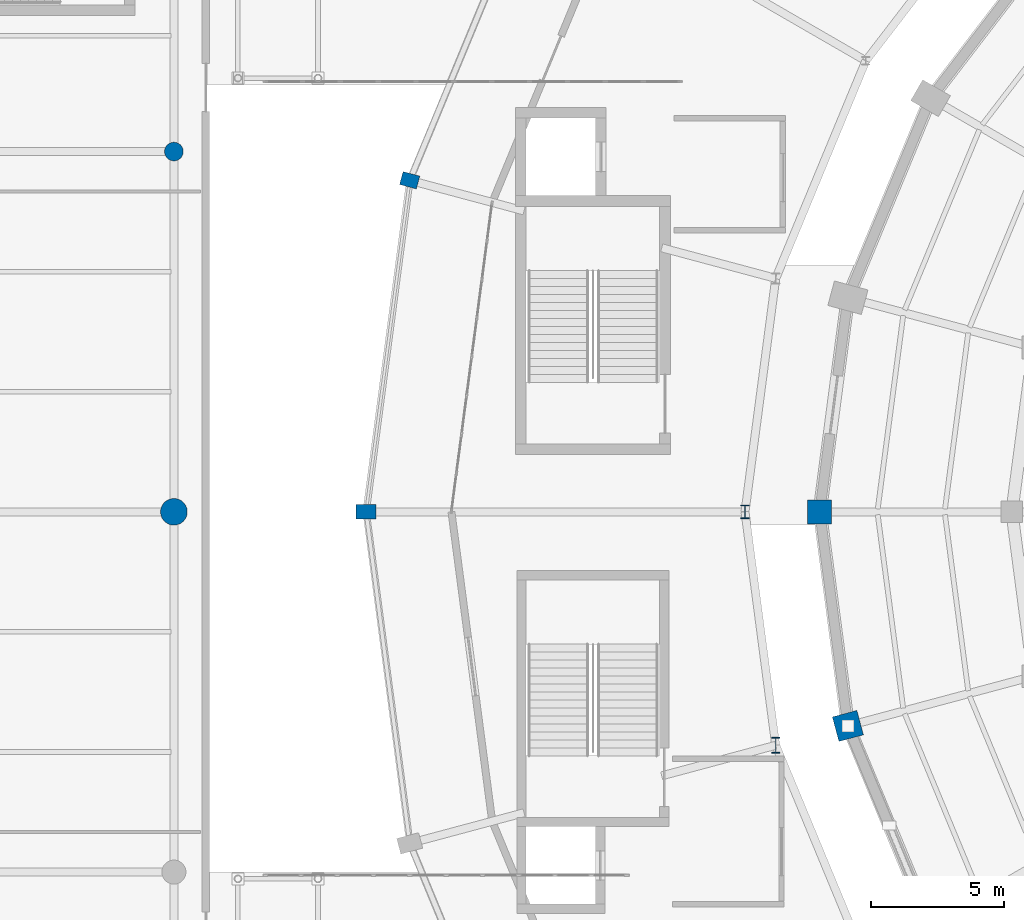
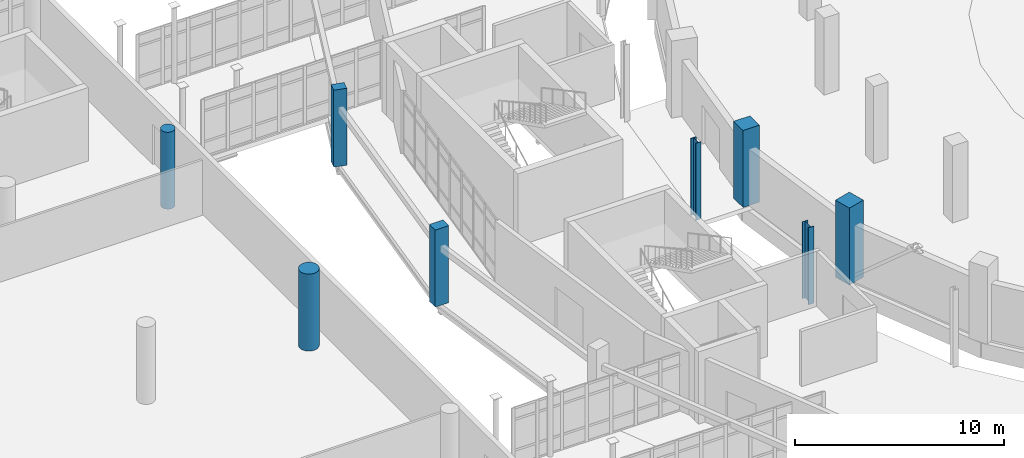
# One storey, part 11 of 122: 8 columns.
"""IFC4 building model written with IfcOpenShell, lengths in metres."""

from ifc_helpers import new_model, si_unit, direction, frame, origin, origin_2d, place, context, subcontext, project, spatial, rectangle, circle, i_section, extrude, material, material_profile, profile_set, type_object, element, save


model = new_model("IFC4")

# Units and contexts
model_context = context("Model", 3, precision=1e-05, world=origin(), true_north=direction((0.0, 1.0)))
body_context = subcontext(model_context, "Body", "Model", "MODEL_VIEW")
ifc_project = project(units=[si_unit("LENGTHUNIT", "METRE"), si_unit("AREAUNIT", "SQUARE_METRE"), si_unit("VOLUMEUNIT", "CUBIC_METRE"), si_unit("PLANEANGLEUNIT", "RADIAN"), si_unit("MASSUNIT", "GRAM", prefix="KILO")], contexts=[model_context])

# Site, building, storey
site_placement = place(None, origin())
site = spatial("IfcSite", under=ifc_project, at=site_placement, CompositionType="ELEMENT")
building_placement = place(site_placement, origin())
building = spatial("IfcBuilding", under=site, at=building_placement, Name="Sohan Crest Arena", CompositionType="ELEMENT")
storey_placement = place(building_placement, origin())
storey = spatial("IfcBuildingStorey", under=building, at=storey_placement, Name="L00", CompositionType="ELEMENT", Elevation=0.0)

# Columns
ifc_material_1 = material(Name="Concrete C40/50", Category="concrete")
ifc_material_profile_1 = material_profile(ifc_material_1, rectangle(XDim=0.89990234375, YDim=0.89990234375, at=origin_2d()), Name="RC 900x900")
ifc_profile_set_1 = profile_set([ifc_material_profile_1], Name="Concrete C40/50")
column_type_1 = type_object("IfcColumnType", Name="STR-COL-C07", PredefinedType="COLUMN", material=ifc_profile_set_1)
column_1_placement = place(storey_placement, frame((67.0, 78.0, 0.0), z_axis=(0.0, 0.0, 1.0), x_axis=(1.0, 0.0, 0.0)))
element("IfcColumn", 1, at=column_1_placement, inside=storey, type_object=column_type_1, Name="Structural column COL-V1R-07-L00", PredefinedType="COLUMN", context=body_context, shape_type="SweptSolid", body=[
    extrude(rectangle(XDim=0.89990234375, YDim=0.89990234375, at=origin_2d()), origin(), (0.0, 0.0, 1.0), 4.5),
])
ifc_material_profile_2 = material_profile(ifc_material_1, rectangle(XDim=0.949951171875, YDim=0.949951171875, at=origin_2d()), Name="RC 950x950")
ifc_profile_set_2 = profile_set([ifc_material_profile_2], Name="Concrete C40/50")
column_type_2 = type_object("IfcColumnType", Name="STR-COL-C08", PredefinedType="COLUMN", material=ifc_profile_set_2)
column_2_placement = place(storey_placement, frame((68.055908203125, 69.97705078125, 0.0), z_axis=(0.0, 0.0, 1.0), x_axis=(0.965925826289, 0.258819045103, 0.0)))
element("IfcColumn", 2, at=column_2_placement, inside=storey, type_object=column_type_2, Name="Structural column COL-V1R-08-L00", PredefinedType="COLUMN", context=body_context, shape_type="SweptSolid", body=[
    extrude(rectangle(XDim=0.949951171875, YDim=0.949951171875, at=origin_2d()), origin(), (0.0, 0.0, 1.0), 4.5),
])
ifc_material_profile_3 = material_profile(ifc_material_1, circle(Radius=0.35009765625, at=origin_2d()), Name="RC D700")
ifc_profile_set_3 = profile_set([ifc_material_profile_3], Name="Concrete C40/50")
column_type_3 = type_object("IfcColumnType", Name="STR-COL-C13", PredefinedType="COLUMN", material=ifc_profile_set_3)
column_3_placement = place(storey_placement, frame((42.800048828125, 91.5, 0.0), z_axis=(0.0, 0.0, 1.0), x_axis=(1.0, 0.0, 0.0)))
element("IfcColumn", 3, at=column_3_placement, inside=storey, type_object=column_type_3, Name="Structural column COL-V3C-44-L00", PredefinedType="COLUMN", context=body_context, shape_type="SweptSolid", body=[
    extrude(circle(Radius=0.35009765625, at=origin_2d()), origin(), (0.0, 0.0, 1.0), 4.5),
])
ifc_material_profile_4 = material_profile(ifc_material_1, circle(Radius=0.5, at=origin_2d()), Name="RC D1000")
ifc_profile_set_4 = profile_set([ifc_material_profile_4], Name="Concrete C40/50")
column_type_4 = type_object("IfcColumnType", Name="STR-COL-C16", PredefinedType="COLUMN", material=ifc_profile_set_4)
column_4_placement = place(storey_placement, frame((42.800048828125, 78.0, 0.0), z_axis=(0.0, 0.0, 1.0), x_axis=(1.0, 0.0, 0.0)))
element("IfcColumn", 4, at=column_4_placement, inside=storey, type_object=column_type_4, Name="Structural column COL-V3C-43-L00", PredefinedType="COLUMN", context=body_context, shape_type="SweptSolid", body=[
    extrude(circle(Radius=0.5, at=origin_2d()), origin(), (0.0, 0.0, 1.0), 4.5),
])
ifc_material_2 = material(Name="Steel S355", Category="steel")
ifc_material_profile_5 = material_profile(ifc_material_2, i_section(OverallWidth=0.300048828125, OverallDepth=0.5, WebThickness=0.014404296875, FlangeThickness=0.028076171875, at=origin_2d()), Name="HEB 500")
ifc_profile_set_5 = profile_set([ifc_material_profile_5], Name="Steel S355")
column_type_5 = type_object("IfcColumnType", Name="STR-COL-C19", PredefinedType="COLUMN", material=ifc_profile_set_5)
column_5_placement = place(storey_placement, frame((64.199951171875, 78.0, 0.0), z_axis=(0.0, 0.0, 1.0), x_axis=(1.0, 0.0, 0.0)))
element("IfcColumn", 5, at=column_5_placement, inside=storey, type_object=column_type_5, Name="Structural column COL-V2I-07-L00", PredefinedType="COLUMN", context=body_context, shape_type="SweptSolid", body=[
    extrude(i_section(OverallWidth=0.300048828125, OverallDepth=0.5, WebThickness=0.014404296875, FlangeThickness=0.028076171875, at=origin_2d()), origin(), (0.0, 0.0, 1.0), 4.5),
])
ifc_material_profile_6 = material_profile(ifc_material_2, i_section(OverallWidth=0.300048828125, OverallDepth=0.60009765625, WebThickness=0.015380859375, FlangeThickness=0.030029296875, at=origin_2d()), Name="HEB 600")
ifc_profile_set_6 = profile_set([ifc_material_profile_6], Name="Steel S355")
column_type_6 = type_object("IfcColumnType", Name="STR-COL-C20", PredefinedType="COLUMN", material=ifc_profile_set_6)
column_6_placement = place(storey_placement, frame((65.35205078125, 69.251953125, 0.0), z_axis=(0.0, 0.0, 1.0), x_axis=(1.0, 0.0, 0.0)))
element("IfcColumn", 6, at=column_6_placement, inside=storey, type_object=column_type_6, Name="Structural column COL-V2I-08-L00", PredefinedType="COLUMN", context=body_context, shape_type="SweptSolid", body=[
    extrude(i_section(OverallWidth=0.300048828125, OverallDepth=0.60009765625, WebThickness=0.015380859375, FlangeThickness=0.030029296875, at=origin_2d()), origin(), (0.0, 0.0, 1.0), 4.5),
])
ifc_material_profile_7 = material_profile(ifc_material_1, rectangle(XDim=0.64990234375, YDim=0.5, at=origin_2d()), Name="RC 650x500")
ifc_profile_set_7 = profile_set([ifc_material_profile_7], Name="Concrete C40/50")
column_type_7 = type_object("IfcColumnType", Name="STR-COL-PC02", PredefinedType="PILASTER", material=ifc_profile_set_7)
column_7_placement = place(storey_placement, frame((51.635986328125, 90.423095703125, 0.0), z_axis=(0.0, 0.0, 1.0), x_axis=(-0.965925826289, 0.258819045103, 0.0)))
element("IfcColumn", 7, at=column_7_placement, inside=storey, type_object=column_type_7, Name="Structural column COL-V2O-06-L00", PredefinedType="PILASTER", context=body_context, shape_type="SweptSolid", body=[
    extrude(rectangle(XDim=0.64990234375, YDim=0.5, at=origin_2d()), origin(), (0.0, 0.0, 1.0), 4.5),
])
ifc_material_profile_8 = material_profile(ifc_material_1, rectangle(XDim=0.75, YDim=0.550048828125, at=origin_2d()), Name="RC 750x550")
ifc_profile_set_8 = profile_set([ifc_material_profile_8], Name="Concrete C40/50")
column_type_8 = type_object("IfcColumnType", Name="STR-COL-PC03", PredefinedType="PILASTER", material=ifc_profile_set_8)
column_8_placement = place(storey_placement, frame((50.0, 78.0, 0.0), z_axis=(0.0, 0.0, 1.0), x_axis=(1.0, 0.0, 0.0)))
element("IfcColumn", 8, at=column_8_placement, inside=storey, type_object=column_type_8, Name="Structural column COL-V2O-07-L00", PredefinedType="PILASTER", context=body_context, shape_type="SweptSolid", body=[
    extrude(rectangle(XDim=0.75, YDim=0.550048828125, at=origin_2d()), origin(), (0.0, 0.0, 1.0), 4.5),
])

save(model, "model.ifc")
